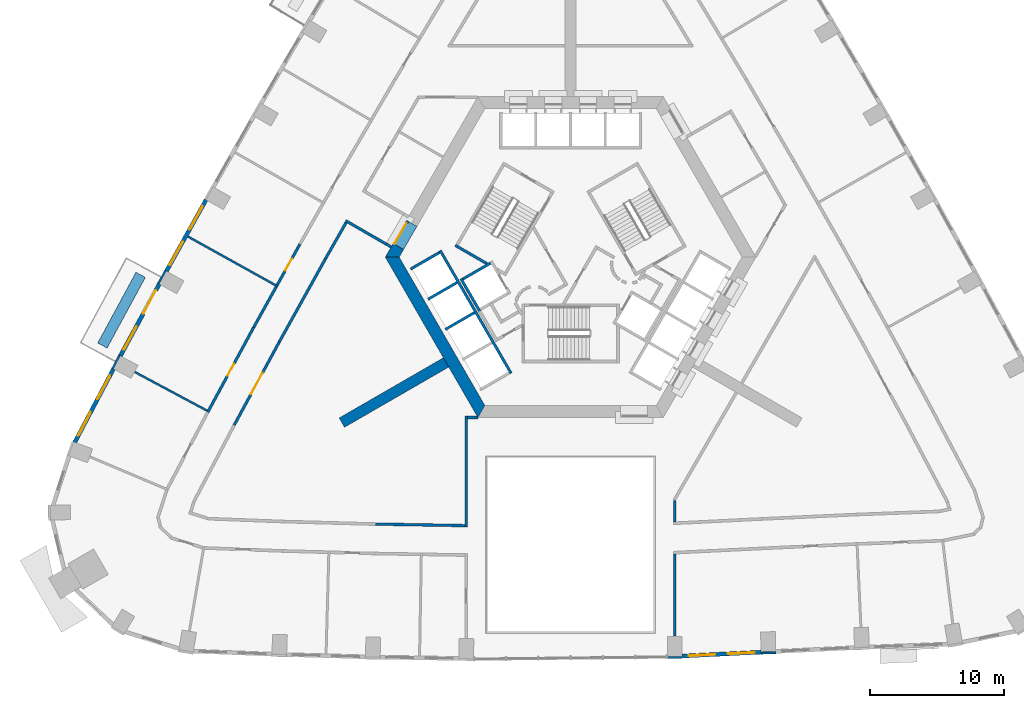
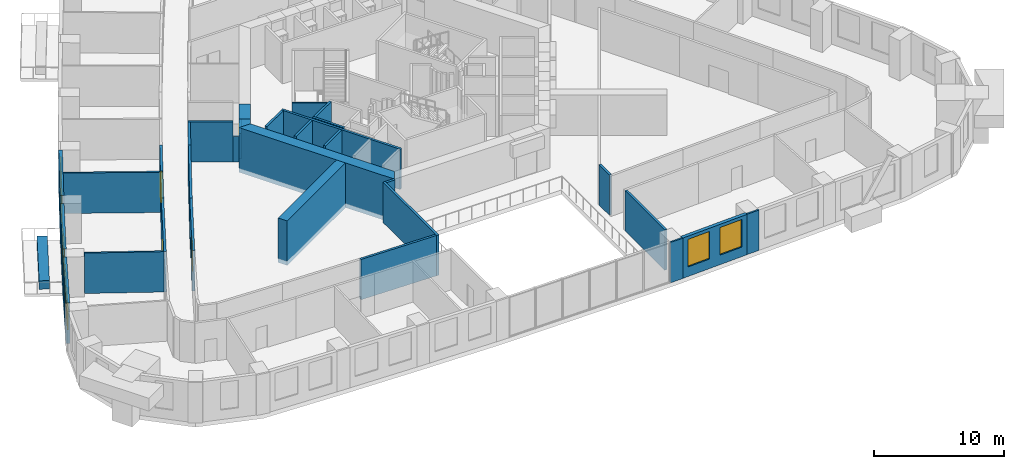
# One storey, part 5 of 15: 36 walls, 7 windows, 5 doors, 12 openings.
"""IFC4 building model written with IfcOpenShell, lengths in metres."""

from ifc_helpers import new_model, si_unit, direction, frame, frame_2d, origin, place, context, subcontext, project, spatial, polyline, rectangle, outline, extrude, material, layer, layer_set, type_object, element, fill, save


model = new_model("IFC4")

# Units and contexts
model_context = context("Model", 3, precision=1e-05, world=origin(), true_north=direction((0.0, 1.0)))
body_context = subcontext(model_context, "Body", "Model", "MODEL_VIEW")
ifc_project = project(units=[si_unit("LENGTHUNIT", "METRE"), si_unit("AREAUNIT", "SQUARE_METRE"), si_unit("VOLUMEUNIT", "CUBIC_METRE"), si_unit("PLANEANGLEUNIT", "RADIAN"), si_unit("MASSUNIT", "GRAM", prefix="KILO")], contexts=[model_context])

# Site, building, storey
site_placement = place(None, origin())
site = spatial("IfcSite", under=ifc_project, at=site_placement, CompositionType="ELEMENT")
building_placement = place(site_placement, origin())
building = spatial("IfcBuilding", under=site, at=building_placement, Name="Entoto Arch Interchange Tower", CompositionType="ELEMENT")
storey_placement = place(building_placement, frame((0.0, 0.0, 120.199951171875)))
storey = spatial("IfcBuildingStorey", under=building, at=storey_placement, Name="L26", CompositionType="ELEMENT", Elevation=120.199951171875)

# Wall
ifc_material_1 = material(Name="Concrete C60/75", Category="concrete")
ifc_layer_1 = layer(ifc_material_1, 0.800048828125)
ifc_layer_set_1 = layer_set([ifc_layer_1], Name="Concrete C60/75")
wall_type_1 = type_object("IfcWallType", Name="Buttress wall 800 C60/75", PredefinedType="SHEAR", material=ifc_layer_set_1)
wall_1_placement = place(storey_placement, frame((-9.31005859375, -5.375, -0.39990234375), z_axis=(0.0, 0.0, 1.0), x_axis=(-0.866017533419, -0.500013631625, 0.0)))
element("IfcWall", 1, at=wall_1_placement, inside=storey, type_object=wall_type_1, Name="Buttress wall SW L26", PredefinedType="SHEAR", context=body_context, shape_type="SweptSolid", body=[
    extrude(rectangle(XDim=8.999755859375, YDim=0.800048828125, at=frame_2d((4.5, 0.0))), origin(), (0.0, 0.0, 1.0), 4.199951171875),
])

# Wall, opening, door
ifc_material_2 = material(Name="Reinforced concrete C40/50", Category="concrete")
ifc_layer_2 = layer(ifc_material_2, 0.199951171875)
ifc_layer_set_2 = layer_set([ifc_layer_2], Name="Reinforced concrete C40/50")
wall_type_2 = type_object("IfcWallType", Name="CORE GAP INFILL WALL", PredefinedType="PARTITIONING", material=ifc_layer_set_2)
wall_2_placement = place(storey_placement, frame((-12.179931640625, 5.201904296875, 0.0), z_axis=(0.0, 0.0, 1.0), x_axis=(-0.50002537861, -0.866010750942, 0.0)))
wall_2 = element("IfcWall", 2, at=wall_2_placement, inside=storey, type_object=wall_type_2, Name="wall:L26:gap3", PredefinedType="PARTITIONING", context=body_context, shape_type="SweptSolid", body=[
    extrude(rectangle(XDim=2.0, YDim=0.199951171875, at=frame_2d((1.0, 0.0))), origin(), (0.0, 0.0, 1.0), 2.400146484375),
])
opening_1_placement = place(wall_2_placement, frame((0.18994140625, 0.0, 0.0)))
opening_1 = element("IfcOpeningElement", 3, at=opening_1_placement, cuts=wall_2, Name="Opening L26-D93", PredefinedType="OPENING", context=body_context, shape_type="SweptSolid", body=[
    extrude(rectangle(XDim=1.800048828125, YDim=2.10009765625, at=frame_2d((0.89990234375, 1.050048828125))), frame((0.0, 0.10986328125, 0.0), z_axis=(0.0, -1.0, 0.0), x_axis=(1.0, 0.0, 0.0)), (0.0, 0.0, 1.0), 0.219970703125),
])
ifc_material_3 = material(Name="Fire-rated Steel S235 door and frame", Category="steel")
door_type_1 = type_object("IfcDoorType", Name="DOOR FD-18 1800x2100", OperationType="DOUBLE_DOOR_SINGLE_SWING", PredefinedType="DOOR", material=ifc_material_3)
door_1_placement = place(opening_1_placement, origin())
door_1 = element("IfcDoor", 4, at=door_1_placement, inside=storey, type_object=door_type_1, Name="door:L26:gap3", OperationType="DOUBLE_DOOR_SINGLE_SWING", OverallHeight=2.10009765625, OverallWidth=1.800048828125, PredefinedType="DOOR", context=body_context, shape_type="SweptSolid", body=[
    extrude(rectangle(XDim=1.800048828125, YDim=2.10009765625, at=frame_2d((0.89990234375, 1.050048828125))), frame((0.0, 0.02490234375, 0.0), z_axis=(0.0, -1.0, 0.0), x_axis=(1.0, 0.0, 0.0)), (0.0, 0.0, 1.0), 0.050048828125),
])
fill(opening_1, door_1)

# Walls
ifc_layer_3 = layer(ifc_material_1, 0.89990234375)
ifc_layer_set_3 = layer_set([ifc_layer_3], Name="Concrete C60/75")
wall_type_3 = type_object("IfcWallType", Name="Core wall 900 C60/75", PredefinedType="SHEAR", material=ifc_layer_set_3)
wall_3_placement = place(storey_placement, frame((0.0, 0.0, -0.39990234375)))
element("IfcWall", 5, at=wall_3_placement, inside=storey, type_object=wall_type_3, Name="Core wall NW L26", PredefinedType="SHEAR", context=body_context, shape_type="SweptSolid", body=[
    extrude(outline(polyline([(-12.488037109375, 3.070068359375), (-13.26708984375, 3.52001953125), (-13.85595703125, 2.5), (-12.81689453125, 2.5), (-12.488037109375, 3.070068359375)])), origin(), (0.0, 0.0, 1.0), 4.199951171875),
])
wall_4_placement = place(storey_placement, frame((0.0, 0.0, 3.60009765625)))
element("IfcWall", 6, at=wall_4_placement, inside=storey, type_object=wall_type_3, Name="Core wall lintel NW L26", PredefinedType="SHEAR", context=body_context, shape_type="SweptSolid", body=[
    extrude(outline(polyline([(-13.26708984375, 3.52001953125), (-12.488037109375, 3.070068359375), (-11.488037109375, 4.802001953125), (-12.26708984375, 5.251953125), (-13.26708984375, 3.52001953125)])), origin(), (0.0, 0.0, 1.0), 0.199951171875),
])
wall_5_placement = place(storey_placement, frame((0.0, 0.0, -0.39990234375)))
element("IfcWall", 7, at=wall_5_placement, inside=storey, type_object=wall_type_3, Name="Core wall SW L26", PredefinedType="SHEAR", context=body_context, shape_type="SweptSolid", body=[
    extrude(outline(polyline([(-13.85595703125, 2.5), (-6.927978515625, -9.5), (-6.408935546875, -8.60009765625), (-12.81689453125, 2.5), (-13.85595703125, 2.5)])), origin(), (0.0, 0.0, 1.0), 4.199951171875),
])
ifc_material_4 = material(Name="Concrete C40/50", Category="concrete")
ifc_layer_4 = layer(ifc_material_4, 0.199951171875)
ifc_layer_set_4 = layer_set([ifc_layer_4], Name="Concrete C40/50")
wall_type_4 = type_object("IfcWallType", Name="LIFT SHAFT WALL 200", PredefinedType="STANDARD", material=ifc_layer_set_4)
wall_6_placement = place(storey_placement, frame((-8.19189453125, 0.887939453125, 0.0), z_axis=(0.0, 0.0, 1.0), x_axis=(0.49994636267, -0.866056369097, 0.0)))
element("IfcWall", 8, at=wall_6_placement, inside=storey, type_object=wall_type_4, Name="Shaft wall SW1 back", PredefinedType="STANDARD", context=body_context, shape_type="SweptSolid", body=[
    extrude(rectangle(XDim=2.800048828125, YDim=0.199951171875, at=frame_2d((1.39990234375, 0.0))), origin(), (0.0, 0.0, 1.0), 3.800048828125),
])
wall_7_placement = place(storey_placement, frame((-5.97705078125, 2.052001953125, 0.0), z_axis=(0.0, 0.0, 1.0), x_axis=(-0.865973769406, -0.500089422704, 0.0)))
element("IfcWall", 9, at=wall_7_placement, inside=storey, type_object=wall_type_4, Name="Shaft wall SW1 cross 1", PredefinedType="STANDARD", context=body_context, shape_type="SweptSolid", body=[
    extrude(rectangle(XDim=2.3994140625, YDim=0.199951171875, at=frame_2d((1.19970703125, 0.0))), origin(), (0.0, 0.0, 1.0), 3.800048828125),
])
wall_8_placement = place(storey_placement, frame((-9.7509765625, 2.989990234375, 0.0), z_axis=(0.0, 0.0, 1.0), x_axis=(0.50000090737, -0.866024879913, 0.0)))
element("IfcWall", 10, at=wall_8_placement, inside=storey, type_object=wall_type_4, Name="Shaft wall SW3 front", PredefinedType="STANDARD", context=body_context, shape_type="SweptSolid", body=[
    extrude(rectangle(XDim=10.60009765625, YDim=0.199951171875, at=frame_2d((5.300048828125, 0.0))), origin(), (0.0, 0.0, 1.0), 3.800048828125),
])
wall_9_placement = place(storey_placement, frame((-9.7880859375, 2.85302734375, 0.0), z_axis=(0.0, 0.0, 1.0), x_axis=(-0.865998541277, -0.500046524342, 0.0)))
element("IfcWall", 11, at=wall_9_placement, inside=storey, type_object=wall_type_4, Name="Shaft wall SW3 cross 1", PredefinedType="STANDARD", context=body_context, shape_type="SweptSolid", body=[
    extrude(rectangle(XDim=2.499755859375, YDim=0.199951171875, at=frame_2d((1.25, 0.0))), origin(), (0.0, 0.0, 1.0), 3.800048828125),
])
for number, where, z_axis, x_axis, name in (
    (12, (-8.488037109375, 0.60205078125, 0.0), (0.0, 0.0, 1.0), (-0.866022959057, -0.500004234368, 0.0), "Shaft wall SW3 cross 2"),
    (13, (-7.18798828125, -1.64990234375, 0.0), (0.0, 0.0, 1.0), (-0.866022959057, -0.500004234368, 0.0), "Shaft wall SW3 cross 3"),
):
    element("IfcWall", number, at=place(storey_placement, frame(where, z_axis=z_axis, x_axis=x_axis)), inside=storey, type_object=wall_type_4, Name=name, PredefinedType="STANDARD", context=body_context, shape_type="SweptSolid", body=[
        extrude(rectangle(XDim=2.5, YDim=0.199951171875, at=frame_2d((1.25, 0.0))), origin(), (0.0, 0.0, 1.0), 3.800048828125),
    ])
ifc_material_5 = material(Name="Gypsum board partition on steel studs", Category="steel")
ifc_layer_5 = layer(ifc_material_5, 0.14990234375)
ifc_layer_set_5 = layer_set([ifc_layer_5], Name="Gypsum board partition on steel studs")
wall_type_5 = type_object("IfcWallType", Name="PARTITION 150", PredefinedType="PARTITIONING", material=ifc_layer_set_5)
wall_10_placement = place(storey_placement, frame((-21.885009765625, 0.300048828125, 0.0), z_axis=(0.0, 0.0, 1.0), x_axis=(-0.874095944746, 0.485753311237, 0.0)))
element("IfcWall", 14, at=wall_10_placement, inside=storey, type_object=wall_type_5, Name="wall:L26:p131", PredefinedType="PARTITIONING", context=body_context, shape_type="SweptSolid", body=[
    extrude(rectangle(XDim=7.699462890625, YDim=0.14990234375, at=frame_2d((3.849609375, 0.0))), origin(), (0.0, 0.0, 1.0), 3.800048828125),
])
wall_11_placement = place(storey_placement, frame((-27.181884765625, -8.98095703125, 0.0), z_axis=(0.0, 0.0, 1.0), x_axis=(-0.881899408669, 0.471437623647, 0.0)))
element("IfcWall", 15, at=wall_11_placement, inside=storey, type_object=wall_type_5, Name="wall:L26:p132", PredefinedType="PARTITIONING", context=body_context, shape_type="SweptSolid", body=[
    extrude(rectangle(XDim=6.1298828125, YDim=0.14990234375, at=frame_2d((3.06494140625, 0.0))), origin(), (0.0, 0.0, 1.0), 3.800048828125),
])
ifc_layer_6 = layer(ifc_material_5, 0.199951171875)
ifc_layer_set_6 = layer_set([ifc_layer_6], Name="Gypsum board partition on steel studs")
wall_type_6 = type_object("IfcWallType", Name="PARTITION 200", PredefinedType="PARTITIONING", material=ifc_layer_set_6)
wall_12_placement = place(storey_placement, frame((-13.4169921875, 3.260009765625, 0.0), z_axis=(0.0, 0.0, 1.0), x_axis=(-0.866032067792, 0.499988457423, 0.0)))
element("IfcWall", 16, at=wall_12_placement, inside=storey, type_object=wall_type_6, Name="wall:L26:p026", PredefinedType="PARTITIONING", context=body_context, shape_type="SweptSolid", body=[
    extrude(rectangle(XDim=0.4501953125, YDim=0.199951171875, at=frame_2d((0.22509765625, 0.0))), origin(), (0.0, 0.0, 1.0), 2.400146484375),
])
wall_13_placement = place(storey_placement, frame((-16.782958984375, 5.087890625, 0.0), z_axis=(0.0, 0.0, 1.0), x_axis=(-0.495023676383, -0.868879485211, 0.0)))
element("IfcWall", 17, at=wall_13_placement, inside=storey, type_object=wall_type_6, Name="wall:L26:p027", PredefinedType="PARTITIONING", context=body_context, shape_type="SweptSolid", body=[
    extrude(rectangle(XDim=3.113037109375, YDim=0.199951171875, at=frame_2d((1.556640625, 0.0))), origin(), (0.0, 0.0, 1.0), 3.800048828125),
])
wall_14_placement = place(storey_placement, frame((-18.323974609375, 2.383056640625, 0.0), z_axis=(0.0, 0.0, 1.0), x_axis=(-0.485826874234, -0.874055060206, 0.0)))
element("IfcWall", 18, at=wall_14_placement, inside=storey, type_object=wall_type_6, Name="wall:L26:p028", PredefinedType="PARTITIONING", context=body_context, shape_type="SweptSolid", body=[
    extrude(rectangle(XDim=7.09912109375, YDim=0.199951171875, at=frame_2d((3.549560546875, 0.0))), origin(), (0.0, 0.0, 1.0), 3.800048828125),
])

# Wall, opening, door
wall_15_placement = place(storey_placement, frame((-21.77294921875, -3.822021484375, 0.0), z_axis=(0.0, 0.0, 1.0), x_axis=(-0.476124717613, -0.87937776483, 0.0)))
wall_15 = element("IfcWall", 19, at=wall_15_placement, inside=storey, type_object=wall_type_6, Name="wall:L26:p029", PredefinedType="PARTITIONING", context=body_context, shape_type="SweptSolid", body=[
    extrude(rectangle(XDim=7.099365234375, YDim=0.199951171875, at=frame_2d((3.5498046875, 0.0))), origin(), (0.0, 0.0, 1.0), 3.800048828125),
])
opening_2_placement = place(wall_15_placement, frame((2.64990234375, 0.0, 0.0)))
opening_2 = element("IfcOpeningElement", 20, at=opening_2_placement, cuts=wall_15, Name="Opening L26-D23", PredefinedType="OPENING", context=body_context, shape_type="SweptSolid", body=[
    extrude(rectangle(XDim=1.800048828125, YDim=2.10009765625, at=frame_2d((0.89990234375, 1.050048828125))), frame((0.0, 0.10986328125, 0.0), z_axis=(0.0, -1.0, 0.0), x_axis=(1.0, 0.0, 0.0)), (0.0, 0.0, 1.0), 0.219970703125),
])
ifc_material_6 = material(Name="Timber door leaf in Steel S235 frame", Category="steel")
door_type_2 = type_object("IfcDoorType", Name="DOOR DD-18 1800x2100", OperationType="DOUBLE_DOOR_SINGLE_SWING", PredefinedType="DOOR", material=ifc_material_6)
door_2_placement = place(opening_2_placement, origin())
door_2 = element("IfcDoor", 21, at=door_2_placement, inside=storey, type_object=door_type_2, Name="door:L26:23", OperationType="DOUBLE_DOOR_SINGLE_SWING", OverallHeight=2.10009765625, OverallWidth=1.800048828125, PredefinedType="DOOR", context=body_context, shape_type="SweptSolid", body=[
    extrude(rectangle(XDim=1.800048828125, YDim=2.10009765625, at=frame_2d((0.89990234375, 1.050048828125))), frame((0.0, 0.02490234375, 0.0), z_axis=(0.0, -1.0, 0.0), x_axis=(1.0, 0.0, 0.0)), (0.0, 0.0, 1.0), 0.050048828125),
])
fill(opening_2, door_2)

# Wall
wall_16_placement = place(storey_placement, frame((-14.569091796875, -17.464111328125, 0.0), z_axis=(0.0, 0.0, 1.0), x_axis=(0.999851389672, -0.017239448129, 0.0)))
element("IfcWall", 22, at=wall_16_placement, inside=storey, type_object=wall_type_6, Name="wall:L26:p035", PredefinedType="PARTITIONING", context=body_context, shape_type="SweptSolid", body=[
    extrude(rectangle(XDim=6.670166015625, YDim=0.199951171875, at=frame_2d((3.3349609375, 0.0))), origin(), (0.0, 0.0, 1.0), 3.800048828125),
])

# Wall, opening, door
wall_17_placement = place(storey_placement, frame((-21.93603515625, 0.4140625, 0.0), z_axis=(0.0, 0.0, 1.0), x_axis=(0.485827202541, 0.874054877723, 0.0)))
wall_17 = element("IfcWall", 23, at=wall_17_placement, inside=storey, type_object=wall_type_6, Name="wall:L26:p064", PredefinedType="PARTITIONING", context=body_context, shape_type="SweptSolid", body=[
    extrude(rectangle(XDim=3.487060546875, YDim=0.199951171875, at=frame_2d((1.74365234375, 0.0))), origin(), (0.0, 0.0, 1.0), 3.800048828125),
])
opening_3_placement = place(wall_17_placement, frame((1.243896484375, 0.0, 0.0)))
opening_3 = element("IfcOpeningElement", 24, at=opening_3_placement, cuts=wall_17, Name="Opening L26-D13", PredefinedType="OPENING", context=body_context, shape_type="SweptSolid", body=[
    extrude(rectangle(XDim=1.0, YDim=2.10009765625, at=frame_2d((0.5, 1.050048828125))), frame((0.0, 0.10986328125, 0.0), z_axis=(0.0, -1.0, 0.0), x_axis=(1.0, 0.0, 0.0)), (0.0, 0.0, 1.0), 0.219970703125),
])
door_type_3 = type_object("IfcDoorType", Name="DOOR DS-10 1000x2100", OperationType="SINGLE_SWING_LEFT", PredefinedType="DOOR", material=ifc_material_6)
door_3_placement = place(opening_3_placement, origin())
door_3 = element("IfcDoor", 25, at=door_3_placement, inside=storey, type_object=door_type_3, Name="door:L26:13", OperationType="SINGLE_SWING_RIGHT", OverallHeight=2.10009765625, OverallWidth=1.0, PredefinedType="DOOR", context=body_context, shape_type="SweptSolid", body=[
    extrude(rectangle(XDim=1.0, YDim=2.10009765625, at=frame_2d((0.5, 1.050048828125))), frame((0.0, 0.02490234375, 0.0), z_axis=(0.0, -1.0, 0.0), x_axis=(1.0, 0.0, 0.0)), (0.0, 0.0, 1.0), 0.050048828125),
])
fill(opening_3, door_3)

wall_18_placement = place(storey_placement, frame((-27.12890625, -9.093994140625, 0.0), z_axis=(0.0, 0.0, 1.0), x_axis=(0.476090835435, 0.879396108938, 0.0)))
wall_18 = element("IfcWall", 26, at=wall_18_placement, inside=storey, type_object=wall_type_6, Name="wall:L26:p066", PredefinedType="PARTITIONING", context=body_context, shape_type="SweptSolid", body=[
    extrude(rectangle(XDim=7.1982421875, YDim=0.199951171875, at=frame_2d((3.59912109375, 0.0))), origin(), (0.0, 0.0, 1.0), 3.800048828125),
])
opening_4_placement = place(wall_18_placement, frame((3.09912109375, 0.0, 0.0)))
opening_4 = element("IfcOpeningElement", 27, at=opening_4_placement, cuts=wall_18, Name="Opening L26-D14", PredefinedType="OPENING", context=body_context, shape_type="SweptSolid", body=[
    extrude(rectangle(XDim=1.0, YDim=2.10009765625, at=frame_2d((0.5, 1.050048828125))), frame((0.0, 0.10986328125, 0.0), z_axis=(0.0, -1.0, 0.0), x_axis=(1.0, 0.0, 0.0)), (0.0, 0.0, 1.0), 0.219970703125),
])
door_4_placement = place(opening_4_placement, origin())
door_4 = element("IfcDoor", 28, at=door_4_placement, inside=storey, type_object=door_type_3, Name="door:L26:14", OperationType="SINGLE_SWING_RIGHT", OverallHeight=2.10009765625, OverallWidth=1.0, PredefinedType="DOOR", context=body_context, shape_type="SweptSolid", body=[
    extrude(rectangle(XDim=1.0, YDim=2.10009765625, at=frame_2d((0.5, 1.050048828125))), frame((0.0, 0.02490234375, 0.0), z_axis=(0.0, -1.0, 0.0), x_axis=(1.0, 0.0, 0.0)), (0.0, 0.0, 1.0), 0.050048828125),
])
fill(opening_4, door_4)

# Walls
wall_19_placement = place(storey_placement, frame((-23.701904296875, -2.763916015625, 0.0), z_axis=(0.0, 0.0, 1.0), x_axis=(0.485892653581, 0.874018494767, 0.0)))
element("IfcWall", 29, at=wall_19_placement, inside=storey, type_object=wall_type_6, Name="wall:L26:p067", PredefinedType="PARTITIONING", context=body_context, shape_type="SweptSolid", body=[
    extrude(rectangle(XDim=3.486083984375, YDim=0.199951171875, at=frame_2d((1.7431640625, 0.0))), origin(), (0.0, 0.0, 1.0), 3.800048828125),
])
wall_20_placement = place(storey_placement, frame((7.800048828125, -15.68994140625, 0.0), z_axis=(0.0, 0.0, 1.0), x_axis=(0.0, -1.0, 0.0)))
element("IfcWall", 30, at=wall_20_placement, inside=storey, type_object=wall_type_6, Name="wall:L26:p109", PredefinedType="PARTITIONING", context=body_context, shape_type="SweptSolid", body=[
    extrude(rectangle(XDim=1.608154296875, YDim=0.199951171875, at=frame_2d((0.80419921875, 0.0))), origin(), (0.0, 0.0, 1.0), 3.800048828125),
])
wall_21_placement = place(storey_placement, frame((-7.800048828125, -17.680908203125, 0.0), z_axis=(0.0, 0.0, 1.0), x_axis=(0.0, 1.0, 0.0)))
element("IfcWall", 31, at=wall_21_placement, inside=storey, type_object=wall_type_6, Name="wall:L26:p110", PredefinedType="PARTITIONING", context=body_context, shape_type="SweptSolid", body=[
    extrude(rectangle(XDim=8.281982421875, YDim=0.199951171875, at=frame_2d((4.14111328125, 0.0))), origin(), (0.0, 0.0, 1.0), 3.800048828125),
])
wall_22_placement = place(storey_placement, frame((-7.699951171875, -9.4990234375, 0.0), z_axis=(0.0, 0.0, 1.0), x_axis=(1.0, 0.0, 0.0)))
element("IfcWall", 32, at=wall_22_placement, inside=storey, type_object=wall_type_6, Name="wall:L26:p111", PredefinedType="PARTITIONING", context=body_context, shape_type="SweptSolid", body=[
    extrude(rectangle(XDim=0.77099609375, YDim=0.199951171875, at=frame_2d((0.385498046875, 0.0))), origin(), (0.0, 0.0, 1.0), 3.800048828125),
])
wall_23_placement = place(storey_placement, frame((7.800048828125, -19.700927734375, 0.0), z_axis=(0.0, 0.0, 1.0), x_axis=(0.0, -1.0, 0.0)))
element("IfcWall", 33, at=wall_23_placement, inside=storey, type_object=wall_type_6, Name="wall:L26:p112", PredefinedType="PARTITIONING", context=body_context, shape_type="SweptSolid", body=[
    extrude(rectangle(XDim=6.13916015625, YDim=0.199951171875, at=frame_2d((3.069580078125, 0.0))), origin(), (0.0, 0.0, 1.0), 3.800048828125),
])
wall_24_placement = place(storey_placement, frame((-13.806884765625, 3.485107421875, 0.0), z_axis=(0.0, 0.0, 1.0), x_axis=(-0.865984597717, 0.500070671522, 0.0)))
element("IfcWall", 34, at=wall_24_placement, inside=storey, type_object=wall_type_6, Name="wall:L26:p026", PredefinedType="PARTITIONING", context=body_context, shape_type="SweptSolid", body=[
    extrude(rectangle(XDim=3.4794921875, YDim=0.199951171875, at=frame_2d((1.73974609375, 0.0))), origin(), (0.0, 0.0, 1.0), 3.800048828125),
])
ifc_material_7 = material(Name="Board-marked precast concrete C50/60", Category="concrete")
ifc_layer_7 = layer(ifc_material_7, 0.800048828125)
ifc_layer_set_7 = layer_set([ifc_layer_7], Name="Board-marked precast concrete C50/60")
wall_type_7 = type_object("IfcWallType", Name="PLANTER RC 800 Juniperus procera", PredefinedType="STANDARD", material=ifc_layer_set_7)
wall_25_placement = place(storey_placement, frame((-32.14501953125, 1.175048828125, 0.0), z_axis=(0.0, 0.0, 1.0), x_axis=(-0.476063277624, -0.879411027733, 0.0)))
element("IfcWall", 35, at=wall_25_placement, inside=storey, type_object=wall_type_7, Name="Planter NW-07 L26", PredefinedType="STANDARD", context=body_context, shape_type="SweptSolid", body=[
    extrude(rectangle(XDim=6.009765625, YDim=0.800048828125, at=frame_2d((3.0048828125, 0.0))), origin(), (0.0, 0.0, 1.0), 0.800048828125),
])
ifc_layer_8 = layer(ifc_material_4, 0.199951171875)
ifc_layer_set_8 = layer_set([ifc_layer_8], Name="Concrete C40/50")
wall_type_8 = type_object("IfcWallType", Name="STAIR ENCLOSURE WALL 200", PredefinedType="STANDARD", material=ifc_layer_set_8)
wall_26_placement = place(storey_placement, frame((-6.25, 2.010009765625, 0.0), z_axis=(0.0, 0.0, 1.0), x_axis=(-0.86611865017, 0.499838457731, 0.0)))
element("IfcWall", 36, at=wall_26_placement, inside=storey, type_object=wall_type_8, Name="Stair wall ST-NW far", PredefinedType="STANDARD", context=body_context, shape_type="SweptSolid", body=[
    extrude(rectangle(XDim=2.73291015625, YDim=0.199951171875, at=frame_2d((1.366455078125, 0.0))), origin(), (0.0, 0.0, 1.0), 3.800048828125),
])

# Wall, openings, windows
ifc_material_8 = material(Name="Welded tuff (ignimbrite) cladding, warm buff", Category="masonry")
ifc_layer_9 = layer(ifc_material_8, 0.300048828125)
ifc_layer_set_9 = layer_set([ifc_layer_9], Name="Welded tuff (ignimbrite) cladding, warm buff")
wall_type_9 = type_object("IfcWallType", Name="STONE INFILL WALL 300", PredefinedType="STANDARD", material=ifc_layer_set_9)
wall_27_placement = place(storey_placement, frame((8.346923828125, -27.3330078125, 0.0), z_axis=(0.0, 0.0, 1.0), x_axis=(0.998800343021, 0.048968099633, 0.0)))
wall_27 = element("IfcWall", 37, at=wall_27_placement, inside=storey, type_object=wall_type_9, Name="Facade wall S-05 L26", PredefinedType="STANDARD", context=body_context, shape_type="SweptSolid", body=[
    extrude(rectangle(XDim=5.903076171875, YDim=0.300048828125, at=frame_2d((2.95166015625, 0.0))), origin(), (0.0, 0.0, 1.0), 3.800048828125),
])
opening_5_placement = place(wall_27_placement, frame((0.47607421875, 0.0, 0.89990234375)))
opening_5 = element("IfcOpeningElement", 38, at=opening_5_placement, cuts=wall_27, Name="Opening WO-C", PredefinedType="OPENING", context=body_context, shape_type="SweptSolid", body=[
    extrude(rectangle(XDim=2.0, YDim=2.60009765625, at=frame_2d((1.0, 1.300048828125))), frame((0.0, 0.16015625, 0.0), z_axis=(0.0, -1.0, 0.0), x_axis=(1.0, 0.0, 0.0)), (0.0, 0.0, 1.0), 0.320068359375),
])
opening_6_placement = place(wall_27_placement, frame((3.427001953125, 0.0, 0.89990234375)))
opening_6 = element("IfcOpeningElement", 39, at=opening_6_placement, cuts=wall_27, Name="Opening WO-C", PredefinedType="OPENING", context=body_context, shape_type="SweptSolid", body=[
    extrude(rectangle(XDim=2.0, YDim=2.60009765625, at=frame_2d((1.0, 1.300048828125))), frame((0.0, 0.16015625, 0.0), z_axis=(0.0, -1.0, 0.0), x_axis=(1.0, 0.0, 0.0)), (0.0, 0.0, 1.0), 0.320068359375),
])
ifc_material_9 = material(Name="Clear glass, low-e double glazed", Category="glass")
window_type = type_object("IfcWindowType", Name="WINDOW WO-C 2000x2600", PartitioningType="DOUBLE_PANEL_VERTICAL", PredefinedType="WINDOW", material=ifc_material_9)
window_1_placement = place(opening_5_placement, origin())
window_1 = element("IfcWindow", 40, at=window_1_placement, inside=storey, type_object=window_type, Name="Window WO-C S-05 L26", OverallHeight=2.60009765625, OverallWidth=2.0, PartitioningType="SINGLE_PANEL", PredefinedType="WINDOW", context=body_context, shape_type="SweptSolid", body=[
    extrude(rectangle(XDim=2.0, YDim=2.60009765625, at=frame_2d((1.0, 1.300048828125))), frame((0.0, 0.030029296875, 0.0), z_axis=(0.0, -1.0, 0.0), x_axis=(1.0, 0.0, 0.0)), (0.0, 0.0, 1.0), 0.06005859375),
])
fill(opening_5, window_1)
window_2_placement = place(opening_6_placement, origin())
window_2 = element("IfcWindow", 41, at=window_2_placement, inside=storey, type_object=window_type, Name="Window WO-C S-05 L26", OverallHeight=2.60009765625, OverallWidth=2.0, PartitioningType="SINGLE_PANEL", PredefinedType="WINDOW", context=body_context, shape_type="SweptSolid", body=[
    extrude(rectangle(XDim=2.0, YDim=2.60009765625, at=frame_2d((1.0, 1.300048828125))), frame((0.0, 0.030029296875, 0.0), z_axis=(0.0, -1.0, 0.0), x_axis=(1.0, 0.0, 0.0)), (0.0, 0.0, 1.0), 0.06005859375),
])
fill(opening_6, window_2)

wall_28_placement = place(storey_placement, frame((-27.261962890625, 6.783935546875, 0.0), z_axis=(0.0, 0.0, 1.0), x_axis=(-0.485822751649, -0.874057351654, 0.0)))
wall_28 = element("IfcWall", 42, at=wall_28_placement, inside=storey, type_object=wall_type_9, Name="Facade wall NW-06 L26", PredefinedType="STANDARD", context=body_context, shape_type="SweptSolid", body=[
    extrude(rectangle(XDim=6.109375, YDim=0.300048828125, at=frame_2d((3.0546875, 0.0))), origin(), (0.0, 0.0, 1.0), 3.800048828125),
])
opening_7_placement = place(wall_28_placement, frame((0.527099609375, 0.0, 0.89990234375)))
opening_7 = element("IfcOpeningElement", 43, at=opening_7_placement, cuts=wall_28, Name="Opening WO-C", PredefinedType="OPENING", context=body_context, shape_type="SweptSolid", body=[
    extrude(rectangle(XDim=2.0, YDim=2.60009765625, at=frame_2d((1.0, 1.300048828125))), frame((0.0, 0.16015625, 0.0), z_axis=(0.0, -1.0, 0.0), x_axis=(1.0, 0.0, 0.0)), (0.0, 0.0, 1.0), 0.320068359375),
])
opening_8_placement = place(wall_28_placement, frame((3.58203125, 0.0, 0.89990234375)))
opening_8 = element("IfcOpeningElement", 44, at=opening_8_placement, cuts=wall_28, Name="Opening WO-C", PredefinedType="OPENING", context=body_context, shape_type="SweptSolid", body=[
    extrude(rectangle(XDim=2.0, YDim=2.60009765625, at=frame_2d((1.0, 1.300048828125))), frame((0.0, 0.16015625, 0.0), z_axis=(0.0, -1.0, 0.0), x_axis=(1.0, 0.0, 0.0)), (0.0, 0.0, 1.0), 0.320068359375),
])
window_3_placement = place(opening_7_placement, origin())
window_3 = element("IfcWindow", 45, at=window_3_placement, inside=storey, type_object=window_type, Name="Window WO-C NW-06 L26", OverallHeight=2.60009765625, OverallWidth=2.0, PartitioningType="SINGLE_PANEL", PredefinedType="WINDOW", context=body_context, shape_type="SweptSolid", body=[
    extrude(rectangle(XDim=2.0, YDim=2.60009765625, at=frame_2d((1.0, 1.300048828125))), frame((0.0, 0.030029296875, 0.0), z_axis=(0.0, -1.0, 0.0), x_axis=(1.0, 0.0, 0.0)), (0.0, 0.0, 1.0), 0.06005859375),
])
fill(opening_7, window_3)
window_4_placement = place(opening_8_placement, origin())
window_4 = element("IfcWindow", 46, at=window_4_placement, inside=storey, type_object=window_type, Name="Window WO-C NW-06 L26", OverallHeight=2.60009765625, OverallWidth=2.0, PartitioningType="SINGLE_PANEL", PredefinedType="WINDOW", context=body_context, shape_type="SweptSolid", body=[
    extrude(rectangle(XDim=2.0, YDim=2.60009765625, at=frame_2d((1.0, 1.300048828125))), frame((0.0, 0.030029296875, 0.0), z_axis=(0.0, -1.0, 0.0), x_axis=(1.0, 0.0, 0.0)), (0.0, 0.0, 1.0), 0.06005859375),
])
fill(opening_8, window_4)

# Wall, openings, door, window
wall_29_placement = place(storey_placement, frame((-30.758056640625, 0.48095703125, 0.0), z_axis=(0.0, 0.0, 1.0), x_axis=(-0.476097776444, -0.879392351152, 0.0)))
wall_29 = element("IfcWall", 47, at=wall_29_placement, inside=storey, type_object=wall_type_9, Name="Facade wall NW-07 L26", PredefinedType="STANDARD", context=body_context, shape_type="SweptSolid", body=[
    extrude(rectangle(XDim=6.10986328125, YDim=0.300048828125, at=frame_2d((3.054931640625, 0.0))), origin(), (0.0, 0.0, 1.0), 3.800048828125),
])
opening_9_placement = place(wall_29_placement, frame((0.527099609375, 0.0, 0.0)))
opening_9 = element("IfcOpeningElement", 48, at=opening_9_placement, cuts=wall_29, Name="Opening DB-NW-07-L26", PredefinedType="OPENING", context=body_context, shape_type="SweptSolid", body=[
    extrude(rectangle(XDim=2.0, YDim=2.39990234375, at=frame_2d((1.0, 1.199951171875))), frame((0.0, 0.16015625, 0.0), z_axis=(0.0, -1.0, 0.0), x_axis=(1.0, 0.0, 0.0)), (0.0, 0.0, 1.0), 0.320068359375),
])
opening_10_placement = place(wall_29_placement, frame((3.58203125, 0.0, 0.89990234375)))
opening_10 = element("IfcOpeningElement", 49, at=opening_10_placement, cuts=wall_29, Name="Opening WO-C", PredefinedType="OPENING", context=body_context, shape_type="SweptSolid", body=[
    extrude(rectangle(XDim=2.0, YDim=2.60009765625, at=frame_2d((1.0, 1.300048828125))), frame((0.0, 0.16015625, 0.0), z_axis=(0.0, -1.0, 0.0), x_axis=(1.0, 0.0, 0.0)), (0.0, 0.0, 1.0), 0.320068359375),
])
ifc_material_10 = material(Name="Aluminium and clear glass, anodised", Category="aluminium")
door_type_4 = type_object("IfcDoorType", Name="BALCONY DOOR DB 2000x2400", OperationType="SLIDING_TO_LEFT", PredefinedType="DOOR", material=ifc_material_10)
door_5_placement = place(opening_9_placement, origin())
door_5 = element("IfcDoor", 50, at=door_5_placement, inside=storey, type_object=door_type_4, Name="Balcony door NW-07 L26", OperationType="SLIDING_TO_LEFT", OverallHeight=2.39990234375, OverallWidth=2.0, PredefinedType="DOOR", context=body_context, shape_type="SweptSolid", body=[
    extrude(rectangle(XDim=2.0, YDim=2.39990234375, at=frame_2d((1.0, 1.199951171875))), frame((0.0, 0.02490234375, 0.0), z_axis=(0.0, -1.0, 0.0), x_axis=(1.0, 0.0, 0.0)), (0.0, 0.0, 1.0), 0.050048828125),
])
fill(opening_9, door_5)
window_5_placement = place(opening_10_placement, origin())
window_5 = element("IfcWindow", 51, at=window_5_placement, inside=storey, type_object=window_type, Name="Window WO-C NW-07 L26", OverallHeight=2.60009765625, OverallWidth=2.0, PartitioningType="SINGLE_PANEL", PredefinedType="WINDOW", context=body_context, shape_type="SweptSolid", body=[
    extrude(rectangle(XDim=2.0, YDim=2.60009765625, at=frame_2d((1.0, 1.300048828125))), frame((0.0, 0.030029296875, 0.0), z_axis=(0.0, -1.0, 0.0), x_axis=(1.0, 0.0, 0.0)), (0.0, 0.0, 1.0), 0.06005859375),
])
fill(opening_10, window_5)

# Wall, openings, windows
wall_30_placement = place(storey_placement, frame((-34.18505859375, -5.860107421875, 0.0), z_axis=(0.0, 0.0, 1.0), x_axis=(-0.466599547852, -0.88446868907, 0.0)))
wall_30 = element("IfcWall", 52, at=wall_30_placement, inside=storey, type_object=wall_type_9, Name="Facade wall NW-08 L26", PredefinedType="STANDARD", context=body_context, shape_type="SweptSolid", body=[
    extrude(rectangle(XDim=6.202392578125, YDim=0.300048828125, at=frame_2d((3.10107421875, 0.0))), origin(), (0.0, 0.0, 1.0), 3.800048828125),
])
opening_11_placement = place(wall_30_placement, frame((0.551025390625, 0.0, 0.89990234375)))
opening_11 = element("IfcOpeningElement", 53, at=opening_11_placement, cuts=wall_30, Name="Opening WO-C", PredefinedType="OPENING", context=body_context, shape_type="SweptSolid", body=[
    extrude(rectangle(XDim=2.0, YDim=2.60009765625, at=frame_2d((1.0, 1.300048828125))), frame((0.0, 0.16015625, 0.0), z_axis=(0.0, -1.0, 0.0), x_axis=(1.0, 0.0, 0.0)), (0.0, 0.0, 1.0), 0.320068359375),
])
opening_12_placement = place(wall_30_placement, frame((3.652099609375, 0.0, 0.89990234375)))
opening_12 = element("IfcOpeningElement", 54, at=opening_12_placement, cuts=wall_30, Name="Opening WO-C", PredefinedType="OPENING", context=body_context, shape_type="SweptSolid", body=[
    extrude(rectangle(XDim=2.0, YDim=2.60009765625, at=frame_2d((1.0, 1.300048828125))), frame((0.0, 0.16015625, 0.0), z_axis=(0.0, -1.0, 0.0), x_axis=(1.0, 0.0, 0.0)), (0.0, 0.0, 1.0), 0.320068359375),
])
window_6_placement = place(opening_11_placement, origin())
window_6 = element("IfcWindow", 55, at=window_6_placement, inside=storey, type_object=window_type, Name="Window WO-C NW-08 L26", OverallHeight=2.60009765625, OverallWidth=2.0, PartitioningType="SINGLE_PANEL", PredefinedType="WINDOW", context=body_context, shape_type="SweptSolid", body=[
    extrude(rectangle(XDim=2.0, YDim=2.60009765625, at=frame_2d((1.0, 1.300048828125))), frame((0.0, 0.030029296875, 0.0), z_axis=(0.0, -1.0, 0.0), x_axis=(1.0, 0.0, 0.0)), (0.0, 0.0, 1.0), 0.06005859375),
])
fill(opening_11, window_6)
window_7_placement = place(opening_12_placement, origin())
window_7 = element("IfcWindow", 56, at=window_7_placement, inside=storey, type_object=window_type, Name="Window WO-C NW-08 L26", OverallHeight=2.60009765625, OverallWidth=2.0, PartitioningType="SINGLE_PANEL", PredefinedType="WINDOW", context=body_context, shape_type="SweptSolid", body=[
    extrude(rectangle(XDim=2.0, YDim=2.60009765625, at=frame_2d((1.0, 1.300048828125))), frame((0.0, 0.030029296875, 0.0), z_axis=(0.0, -1.0, 0.0), x_axis=(1.0, 0.0, 0.0)), (0.0, 0.0, 1.0), 0.06005859375),
])
fill(opening_12, window_7)

# Walls
ifc_layer_10 = layer(ifc_material_8, 0.14990234375)
ifc_layer_set_10 = layer_set([ifc_layer_10], Name="Welded tuff (ignimbrite) cladding, warm buff")
wall_type_10 = type_object("IfcWallType", Name="STONE PIER CLADDING 150", PredefinedType="STANDARD", material=ifc_layer_set_10)
wall_31_placement = place(storey_placement, frame((-30.298095703125, 1.48291015625, 0.0), z_axis=(0.0, 0.0, 1.0), x_axis=(-0.479566870346, -0.877505337229, 0.0)))
element("IfcWall", 57, at=wall_31_placement, inside=storey, type_object=wall_type_10, Name="Stone pier NW07 L26", PredefinedType="STANDARD", context=body_context, shape_type="SweptSolid", body=[
    extrude(rectangle(XDim=1.1005859375, YDim=0.14990234375, at=frame_2d((0.55029296875, 0.0))), origin(), (0.0, 0.0, 1.0), 3.800048828125),
])
wall_32_placement = place(storey_placement, frame((-33.737060546875, -4.85400390625, 0.0), z_axis=(0.0, 0.0, 1.0), x_axis=(-0.46919310775, -0.883095593716, 0.0)))
element("IfcWall", 58, at=wall_32_placement, inside=storey, type_object=wall_type_10, Name="Stone pier NW08 L26", PredefinedType="STANDARD", context=body_context, shape_type="SweptSolid", body=[
    extrude(rectangle(XDim=1.099365234375, YDim=0.14990234375, at=frame_2d((0.5498046875, 0.0))), origin(), (0.0, 0.0, 1.0), 3.800048828125),
])
wall_33_placement = place(storey_placement, frame((7.2490234375, -27.43994140625, 0.0), z_axis=(0.0, 0.0, 1.0), x_axis=(0.99995860686, 0.009098602504, 0.0)))
element("IfcWall", 59, at=wall_33_placement, inside=storey, type_object=wall_type_10, Name="Stone pier S05 L26", PredefinedType="STANDARD", context=body_context, shape_type="SweptSolid", body=[
    extrude(rectangle(XDim=1.10009765625, YDim=0.14990234375, at=frame_2d((0.550048828125, 0.0))), origin(), (0.0, 0.0, 1.0), 3.800048828125),
])
wall_34_placement = place(storey_placement, frame((14.242919921875, -27.10498046875, 0.0), z_axis=(0.0, 0.0, 1.0), x_axis=(0.999723421029, 0.023517683673, 0.0)))
element("IfcWall", 60, at=wall_34_placement, inside=storey, type_object=wall_type_10, Name="Stone pier S06 L26", PredefinedType="STANDARD", context=body_context, shape_type="SweptSolid", body=[
    extrude(rectangle(XDim=1.100341796875, YDim=0.14990234375, at=frame_2d((0.55029296875, 0.0))), origin(), (0.0, 0.0, 1.0), 3.800048828125),
])

save(model, "model.ifc")
